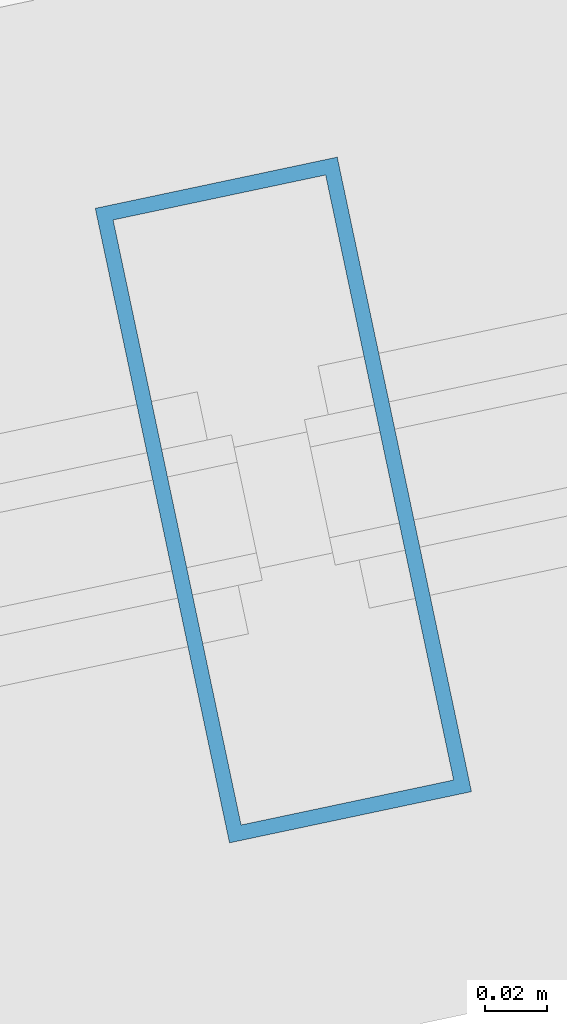
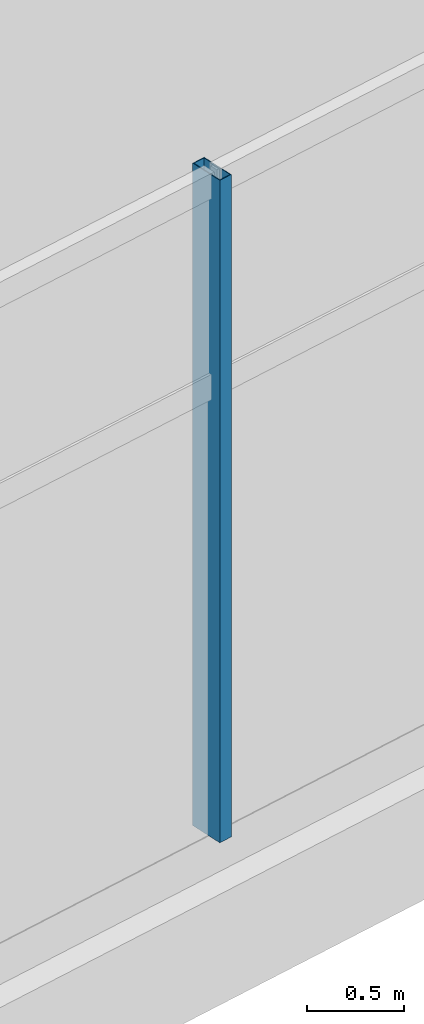
# One storey, part 60 of 184: 1 member, 1 element without a shape of its own.
"""IFC4 building model written with IfcOpenShell, lengths in metres."""

from ifc_helpers import new_model, si_unit, direction, frame, origin, origin_2d, place, context, subcontext, project, spatial, hollow_rectangle, extrude, material, layer, layer_set, material_profile, profile_set, type_object, element, aggregate, save


model = new_model("IFC4")

# Units and contexts
model_context = context("Model", 3, precision=1e-05, world=origin(), true_north=direction((0.0, 1.0)))
body_context = subcontext(model_context, "Body", "Model", "MODEL_VIEW")
ifc_project = project(units=[si_unit("LENGTHUNIT", "METRE"), si_unit("AREAUNIT", "SQUARE_METRE"), si_unit("VOLUMEUNIT", "CUBIC_METRE"), si_unit("PLANEANGLEUNIT", "RADIAN"), si_unit("MASSUNIT", "GRAM", prefix="KILO")], contexts=[model_context])

# Site, building, storey
site_placement = place(None, origin())
site = spatial("IfcSite", under=ifc_project, at=site_placement, CompositionType="ELEMENT")
building_placement = place(site_placement, origin())
building = spatial("IfcBuilding", under=site, at=building_placement, Name="Kazemori Nagisa Stadium", CompositionType="ELEMENT")
storey_placement = place(building_placement, frame((0.0, 0.0, 10.5400390625)))
storey = spatial("IfcBuildingStorey", under=building, at=storey_placement, Name="L02", CompositionType="ELEMENT", Elevation=10.5400390625)

# Curtain wall, member
ifc_material_1 = material(Name="Anodised aluminium 6063-T5", Category="aluminium")
ifc_layer = layer(ifc_material_1, 0.2099609375, Name="Anodised aluminium 6063-T5", Category="aluminium")
ifc_layer_set = layer_set([ifc_layer], Name="Anodised aluminium 6063-T5")
curtain_wall_type = type_object("IfcCurtainWallType", Name="CW_L02R3_105", PredefinedType="USERDEFINED", material=ifc_layer_set)
curtain_wall_placement = place(storey_placement, origin())
curtain_wall = element("IfcCurtainWall", 1, at=curtain_wall_placement, inside=storey, type_object=curtain_wall_type, Name="Unitised curtain wall CW-L02R3-105 L02", ObjectType="UNITISED CURTAIN WALL", PredefinedType="USERDEFINED")
ifc_material_2 = material(Name="Aluminium 6063-T5 anodised", Category="aluminium")
ifc_material_profile = material_profile(ifc_material_2, hollow_rectangle(XDim=0.080078125, YDim=0.2099609375, WallThickness=0.0048828125, at=origin_2d()), Name="ALU-MULL-80x210x5")
ifc_profile_set = profile_set([ifc_material_profile], Name="Aluminium 6063-T5 anodised")
member_type = type_object("IfcMemberType", Name="Mullion_M02", PredefinedType="MULLION", material=ifc_profile_set)
member_placement = place(storey_placement, frame((151.708251953125, 18.553466796875, 0.0), z_axis=(0.0, 0.0, 1.0), x_axis=(0.978344955407, 0.206981033502, 0.0)))
member = element("IfcMember", 2, at=member_placement, type_object=member_type, Name="Curtain wall mullion CW-L02R3-105-M2", PredefinedType="MULLION", context=body_context, shape_type="SweptSolid", body=[
    extrude(hollow_rectangle(XDim=0.080078125, YDim=0.2099609375, WallThickness=0.0048828125, at=origin_2d()), origin(), (0.0, 0.0, 1.0), 4.18994140625),
])
aggregate(curtain_wall, [member])

save(model, "model.ifc")
